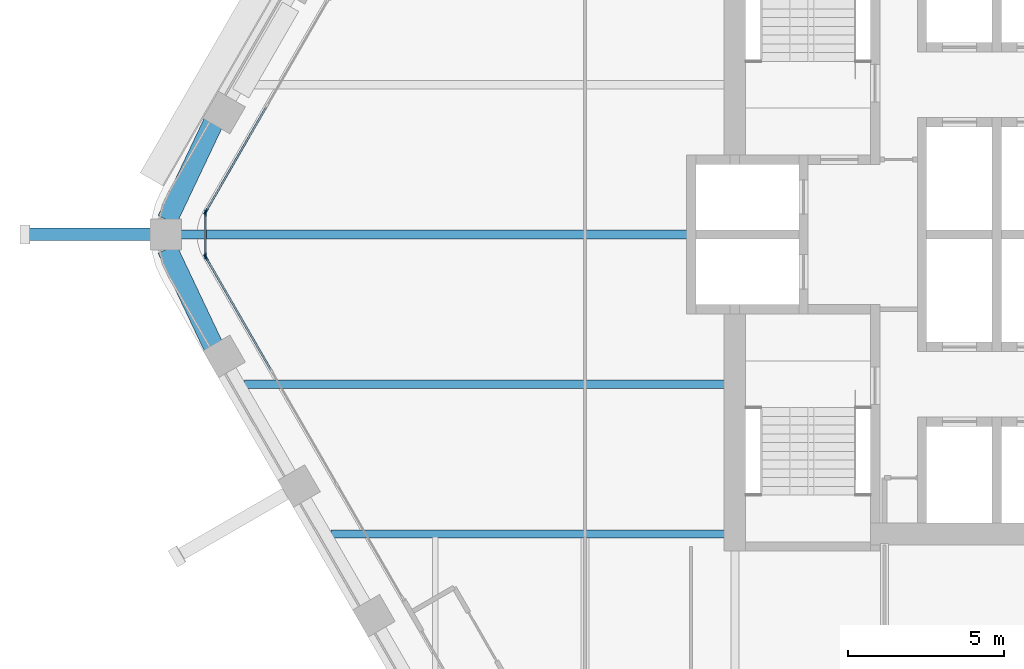
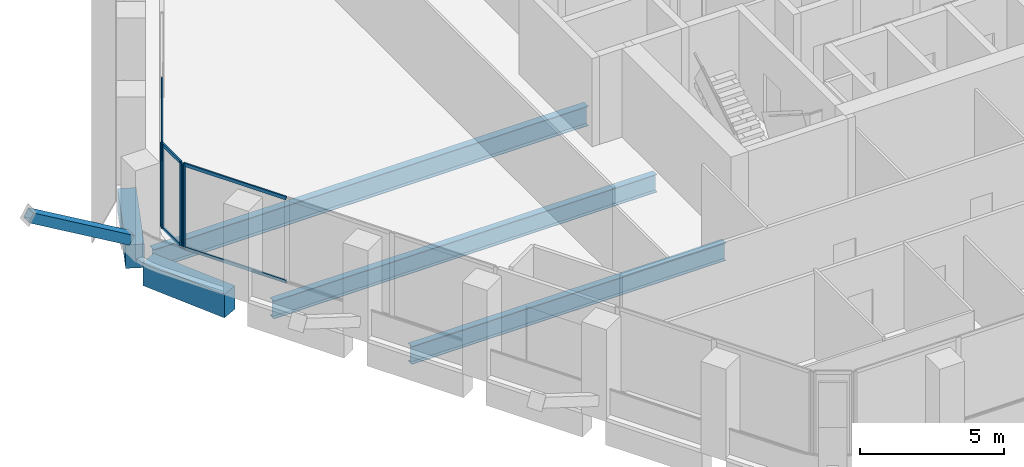
# One storey, part 3 of 16: 11 members, 5 beams, 3 elements without a shape of their own.
"""IFC4 building model written with IfcOpenShell, lengths in metres."""

from ifc_helpers import new_model, si_unit, direction, frame, origin, origin_2d, place, context, subcontext, project, spatial, rectangle, hollow_rectangle, i_section, extrude, material, material_profile, profile_set, type_object, element, aggregate, save


model = new_model("IFC4")

# Units and contexts
model_context = context("Model", 3, precision=1e-05, world=origin(), true_north=direction((0.0, 1.0)))
body_context = subcontext(model_context, "Body", "Model", "MODEL_VIEW")
ifc_project = project(units=[si_unit("LENGTHUNIT", "METRE"), si_unit("AREAUNIT", "SQUARE_METRE"), si_unit("VOLUMEUNIT", "CUBIC_METRE"), si_unit("PLANEANGLEUNIT", "RADIAN"), si_unit("MASSUNIT", "GRAM", prefix="KILO")], contexts=[model_context])

# Site, building, storey
site_placement = place(None, origin())
site = spatial("IfcSite", under=ifc_project, at=site_placement, CompositionType="ELEMENT")
building_placement = place(site_placement, origin())
building = spatial("IfcBuilding", under=site, at=building_placement, Name="Kolab Exchange Tower", CompositionType="ELEMENT")
storey_placement = place(building_placement, frame((0.0, 0.0, 209.0)))
storey = spatial("IfcBuildingStorey", under=building, at=storey_placement, Name="L45", CompositionType="ELEMENT", Elevation=209.0)

# Beams
ifc_material_1 = material(Name="Steel S355", Category="steel")
ifc_material_profile_1 = material_profile(ifc_material_1, i_section(OverallWidth=0.26708984375, OverallDepth=0.761962890625, WebThickness=0.014404296875, FlangeThickness=0.021484375, at=origin_2d()), Name="W760X173")
ifc_profile_set_1 = profile_set([ifc_material_profile_1], Name="Steel S355")
beam_type_1 = type_object("IfcBeamType", Name="FLOOR BEAM W760X173", PredefinedType="BEAM", material=ifc_profile_set_1)
beam_1_placement = place(storey_placement, frame((-25.318115234375, -4.800048828125, -0.531005859375), z_axis=(1.0, 0.0, 0.0), x_axis=(0.0, 1.0, 0.0)))
element("IfcBeam", 1, at=beam_1_placement, inside=storey, type_object=beam_type_1, Name="beam/L45/fr/001", PredefinedType="BEAM", context=body_context, shape_type="SweptSolid", body=[
    extrude(i_section(OverallWidth=0.26708984375, OverallDepth=0.761962890625, WebThickness=0.014404296875, FlangeThickness=0.021484375, at=origin_2d()), origin(), (0.0, 0.0, 1.0), 15.408203125),
])
ifc_material_profile_2 = material_profile(ifc_material_1, i_section(OverallWidth=0.2919921875, OverallDepth=0.840087890625, WebThickness=0.0146484375, FlangeThickness=0.021728515625, at=origin_2d()), Name="W840X193")
ifc_profile_set_2 = profile_set([ifc_material_profile_2], Name="Steel S355")
beam_type_2 = type_object("IfcBeamType", Name="FLOOR BEAM W840X193", PredefinedType="BEAM", material=ifc_profile_set_2)
beam_2_placement = place(storey_placement, frame((-27.3759765625, 0.0, -0.570068359375), z_axis=(1.0, 0.0, 0.0), x_axis=(0.0, 1.0, 0.0)))
element("IfcBeam", 2, at=beam_2_placement, inside=storey, type_object=beam_type_2, Name="beam/L45/fr/000", PredefinedType="BEAM", context=body_context, shape_type="SweptSolid", body=[
    extrude(i_section(OverallWidth=0.2919921875, OverallDepth=0.840087890625, WebThickness=0.0146484375, FlangeThickness=0.021728515625, at=origin_2d()), origin(), (0.0, 0.0, 1.0), 17.466064453125),
])
ifc_material_profile_3 = material_profile(ifc_material_1, i_section(OverallWidth=0.26708984375, OverallDepth=0.761962890625, WebThickness=0.014404296875, FlangeThickness=0.021484375, at=origin_2d()), Name="W760X173")
ifc_profile_set_3 = profile_set([ifc_material_profile_3], Name="Steel S355")
beam_type_3 = type_object("IfcBeamType", Name="FLOOR GIRDER W760X173", PredefinedType="BEAM", material=ifc_profile_set_3)
beam_3_placement = place(storey_placement, frame((-22.546875, -9.60009765625, -0.531005859375), z_axis=(1.0, 0.0, 0.0), x_axis=(0.0, 1.0, 0.0)))
element("IfcBeam", 3, at=beam_3_placement, inside=storey, type_object=beam_type_3, Name="beam/L45/gd/000", PredefinedType="BEAM", context=body_context, shape_type="SweptSolid", body=[
    extrude(i_section(OverallWidth=0.26708984375, OverallDepth=0.761962890625, WebThickness=0.014404296875, FlangeThickness=0.021484375, at=origin_2d()), origin(), (0.0, 0.0, 1.0), 12.636962890625),
])

# Member
ifc_material_profile_4 = material_profile(ifc_material_1, hollow_rectangle(XDim=0.39990234375, YDim=0.39990234375, WallThickness=0.02001953125, at=origin_2d()), Name="HSS400X400X20")
ifc_profile_set_4 = profile_set([ifc_material_profile_4], Name="Steel S355")
member_type_1 = type_object("IfcMemberType", Name="LEDGE STRUT HSS400X400X20", PredefinedType="STRUT", material=ifc_profile_set_4)
member_1_placement = place(storey_placement, frame((-28.2958984375, 0.0, 0.60009765625), z_axis=(-0.862733263065, 0.0, 0.505659289247), x_axis=(0.0, -1.0, 0.0)))
element("IfcMember", 4, at=member_1_placement, inside=storey, type_object=member_type_1, Name="mem/L45/ledge/strut-6", PredefinedType="STRUT", context=body_context, shape_type="SweptSolid", body=[
    extrude(hollow_rectangle(XDim=0.39990234375, YDim=0.39990234375, WallThickness=0.02001953125, at=origin_2d()), origin(), (0.0, 0.0, 1.0), 4.682861328125),
])

# Beams
ifc_material_2 = material(Name="Concrete C60/75", Category="concrete")
ifc_material_profile_5 = material_profile(ifc_material_2, rectangle(XDim=0.64990234375, YDim=1.0, at=origin_2d()), Name="RC650X1000")
ifc_profile_set_5 = profile_set([ifc_material_profile_5], Name="Concrete C60/75")
beam_type_4 = type_object("IfcBeamType", Name="SPANDREL BEAM 650X1000 C60/75", PredefinedType="BEAM", material=ifc_profile_set_5)
for number, where, z_axis, x_axis, name in (
    (5, (-26.316162109375, -3.5771484375, -0.64990234375), (-0.428177731975, 0.903694544545, 0.0), (-0.903694544545, -0.428177731975, 0.0), "beam/L45/sp/F5-06"),
    (6, (-27.791259765625, 0.4638671875, -0.64990234375), (0.428177731975, 0.903694544545, 0.0), (-0.903694544545, 0.428177731975, 0.0), "beam/L45/sp/F6-01"),
):
    element("IfcBeam", number, at=place(storey_placement, frame(where, z_axis=z_axis, x_axis=x_axis)), inside=storey, type_object=beam_type_4, Name=name, PredefinedType="BEAM", context=body_context, shape_type="SweptSolid", body=[
        extrude(rectangle(XDim=0.64990234375, YDim=1.0, at=origin_2d()), origin(), (0.0, 0.0, 1.0), 3.445068359375),
    ])

# Curtain wall, member
ifc_material_3 = material(Name="Aluminium EN AW-6063 T6", Category="aluminium")
curtain_wall_type = type_object("IfcCurtainWallType", Name="UNITISED UPPER MID ZONE CURTAIN WALL", PredefinedType="NOTDEFINED", material=ifc_material_3)
curtain_wall_1_placement = place(storey_placement, origin())
curtain_wall_1 = element("IfcCurtainWall", 7, at=curtain_wall_1_placement, inside=storey, type_object=curtain_wall_type, Name="cw/L45/F5-2", PredefinedType="NOTDEFINED")
ifc_material_profile_6 = material_profile(ifc_material_3, rectangle(XDim=0.06005859375, YDim=0.199951171875, at=origin_2d()), Name="RECT 60X200")
ifc_profile_set_6 = profile_set([ifc_material_profile_6], Name="Aluminium EN AW-6063 T6")
member_type_2 = type_object("IfcMemberType", Name="UNITISED UPPER MID ZONE MULLION 60 X 200", PredefinedType="MULLION", material=ifc_profile_set_6)
member_2_placement = place(storey_placement, frame((-26.550537109375, -0.736083984375, 0.0), z_axis=(0.0, 0.0, 1.0), x_axis=(-0.866025427826, -0.499999958358, 0.0)))
member_2 = element("IfcMember", 8, at=member_2_placement, type_object=member_type_2, Name="CW3 mullion 4", PredefinedType="MULLION", context=body_context, shape_type="SweptSolid", body=[
    extrude(rectangle(XDim=0.06005859375, YDim=0.199951171875, at=origin_2d()), origin(), (0.0, 0.0, 1.0), 3.60009765625),
])

curtain_wall_2_placement = place(storey_placement, origin())
curtain_wall_2 = element("IfcCurtainWall", 9, at=curtain_wall_2_placement, inside=storey, type_object=curtain_wall_type, Name="cw/L45/F6-1", PredefinedType="NOTDEFINED")
member_3_placement = place(storey_placement, frame((-26.550537109375, 0.736083984375, 0.0), z_axis=(0.0, 0.0, 1.0), x_axis=(-0.866025440524, 0.499999936366, 0.0)))
member_3 = element("IfcMember", 10, at=member_3_placement, type_object=member_type_2, Name="CW3 mullion 1", PredefinedType="MULLION", context=body_context, shape_type="SweptSolid", body=[
    extrude(rectangle(XDim=0.06005859375, YDim=0.199951171875, at=origin_2d()), origin(), (0.0, 0.0, 1.0), 3.60009765625),
])

# Curtain wall, members
curtain_wall_3_placement = place(storey_placement, origin())
curtain_wall_3 = element("IfcCurtainWall", 11, at=curtain_wall_3_placement, inside=storey, type_object=curtain_wall_type, Name="cw/L45/F5F6-corner", PredefinedType="NOTDEFINED")
member_4_placement = place(storey_placement, frame((-26.565673828125, -0.679931640625, 0.0), z_axis=(0.0, 0.0, 1.0), x_axis=(-1.0, 0.0, 0.0)))
member_4 = element("IfcMember", 12, at=member_4_placement, type_object=member_type_2, Name="CW3 mullion 1", PredefinedType="MULLION", context=body_context, shape_type="SweptSolid", body=[
    extrude(rectangle(XDim=0.06005859375, YDim=0.199951171875, at=origin_2d()), origin(), (0.0, 0.0, 1.0), 3.60009765625),
])
member_5_placement = place(storey_placement, frame((-26.565673828125, 0.679931640625, 0.0), z_axis=(0.0, 0.0, 1.0), x_axis=(-1.0, 0.0, 0.0)))
member_5 = element("IfcMember", 13, at=member_5_placement, type_object=member_type_2, Name="CW3 mullion 2", PredefinedType="MULLION", context=body_context, shape_type="SweptSolid", body=[
    extrude(rectangle(XDim=0.06005859375, YDim=0.199951171875, at=origin_2d()), origin(), (0.0, 0.0, 1.0), 3.60009765625),
])

# Member
ifc_material_profile_7 = material_profile(ifc_material_3, rectangle(XDim=0.06005859375, YDim=0.139892578125, at=origin_2d()), Name="RECT 60X140")
ifc_profile_set_7 = profile_set([ifc_material_profile_7], Name="Aluminium EN AW-6063 T6")
member_type_3 = type_object("IfcMemberType", Name="UNITISED UPPER MID ZONE TRANSOM 60 X 140", PredefinedType="USERDEFINED", material=ifc_profile_set_7)
member_6_placement = place(storey_placement, frame((-24.46923828125, -4.3408203125, 0.030029296875), z_axis=(-0.500027577057, 0.866009481578, 0.0), x_axis=(-0.866009481578, -0.500027577057, 0.0)))
member_6 = element("IfcMember", 14, at=member_6_placement, type_object=member_type_3, Name="CW3 transom 3.1", ObjectType="TRANSOM", PredefinedType="USERDEFINED", context=body_context, shape_type="SweptSolid", body=[
    extrude(rectangle(XDim=0.06005859375, YDim=0.139892578125, at=origin_2d()), origin(), (0.0, 0.0, 1.0), 4.132568359375),
])

member_7_placement = place(storey_placement, frame((-24.46923828125, -4.3408203125, 3.570068359375), z_axis=(-0.500027577057, 0.866009481578, 0.0), x_axis=(-0.866009481578, -0.500027577057, 0.0)))
member_7 = element("IfcMember", 15, at=member_7_placement, type_object=member_type_3, Name="CW3 transom 3.2", ObjectType="TRANSOM", PredefinedType="USERDEFINED", context=body_context, shape_type="SweptSolid", body=[
    extrude(rectangle(XDim=0.06005859375, YDim=0.139892578125, at=origin_2d()), origin(), (0.0, 0.0, 1.0), 4.132568359375),
])

aggregate(curtain_wall_1, [member_2, member_6, member_7])

member_8_placement = place(storey_placement, frame((-26.53564453125, 0.761962890625, 0.030029296875), z_axis=(0.499991857942, 0.866030104553, 0.0), x_axis=(-0.866030104553, 0.499991857942, 0.0)))
member_8 = element("IfcMember", 16, at=member_8_placement, type_object=member_type_3, Name="CW3 transom 1.1", ObjectType="TRANSOM", PredefinedType="USERDEFINED", context=body_context, shape_type="SweptSolid", body=[
    extrude(rectangle(XDim=0.06005859375, YDim=0.139892578125, at=origin_2d()), origin(), (0.0, 0.0, 1.0), 3.84375),
])

member_9_placement = place(storey_placement, frame((-26.53564453125, 0.761962890625, 3.570068359375), z_axis=(0.499991857942, 0.866030104553, 0.0), x_axis=(-0.866030104553, 0.499991857942, 0.0)))
member_9 = element("IfcMember", 17, at=member_9_placement, type_object=member_type_3, Name="CW3 transom 1.2", ObjectType="TRANSOM", PredefinedType="USERDEFINED", context=body_context, shape_type="SweptSolid", body=[
    extrude(rectangle(XDim=0.06005859375, YDim=0.139892578125, at=origin_2d()), origin(), (0.0, 0.0, 1.0), 3.84375),
])

aggregate(curtain_wall_2, [member_3, member_8, member_9])

member_10_placement = place(storey_placement, frame((-26.565673828125, -0.64990234375, 0.030029296875), z_axis=(0.0, 1.0, 0.0), x_axis=(-1.0, 0.0, 0.0)))
member_10 = element("IfcMember", 18, at=member_10_placement, type_object=member_type_3, Name="CW3 transom 1.1", ObjectType="TRANSOM", PredefinedType="USERDEFINED", context=body_context, shape_type="SweptSolid", body=[
    extrude(rectangle(XDim=0.06005859375, YDim=0.139892578125, at=origin_2d()), origin(), (0.0, 0.0, 1.0), 1.2998046875),
])

member_11_placement = place(storey_placement, frame((-26.565673828125, -0.64990234375, 3.570068359375), z_axis=(0.0, 1.0, 0.0), x_axis=(-1.0, 0.0, 0.0)))
member_11 = element("IfcMember", 19, at=member_11_placement, type_object=member_type_3, Name="CW3 transom 1.2", ObjectType="TRANSOM", PredefinedType="USERDEFINED", context=body_context, shape_type="SweptSolid", body=[
    extrude(rectangle(XDim=0.06005859375, YDim=0.139892578125, at=origin_2d()), origin(), (0.0, 0.0, 1.0), 1.2998046875),
])

aggregate(curtain_wall_3, [member_4, member_5, member_10, member_11])

save(model, "model.ifc")
